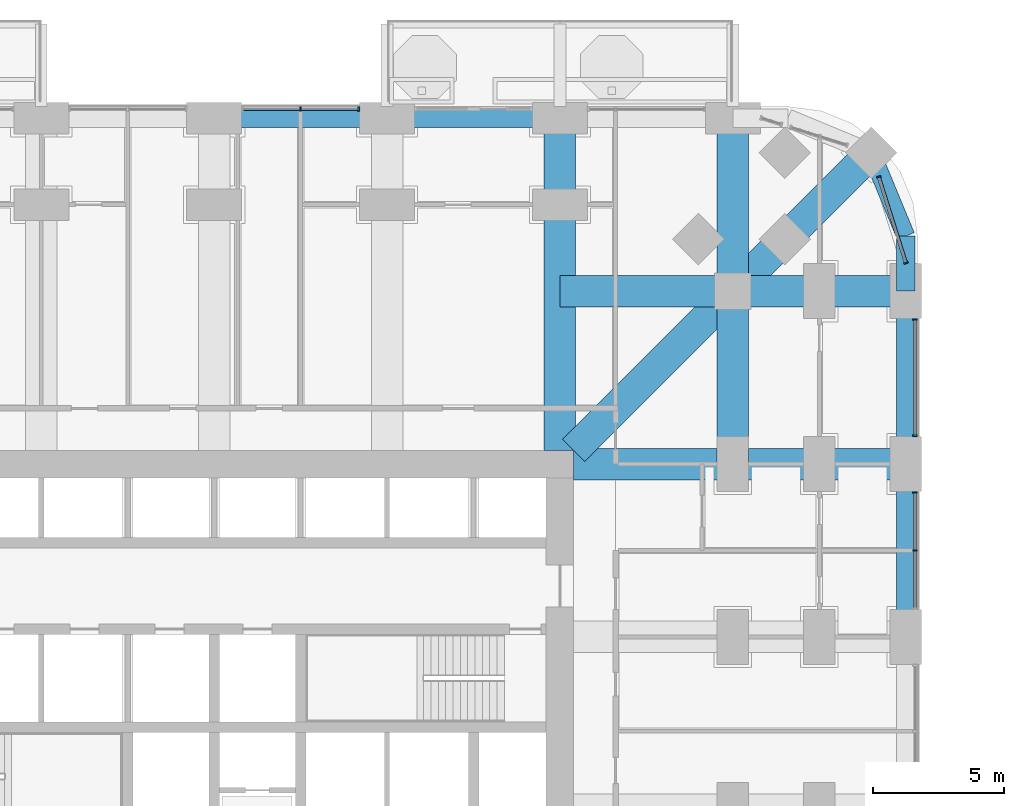
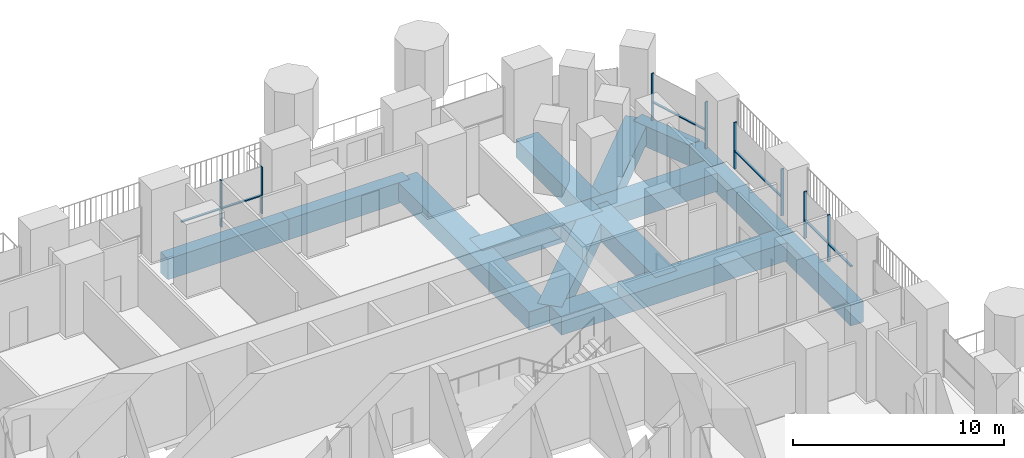
# One storey, part 9 of 27: 14 beams, 14 members, 4 elements without a shape of their own.
"""IFC4 building model written with IfcOpenShell, lengths in metres."""

from ifc_helpers import new_model, si_unit, direction, frame, origin, origin_2d, place, context, subcontext, project, spatial, rectangle, extrude, material, material_profile, profile_set, type_object, element, aggregate, save


model = new_model("IFC4")

# Units and contexts
model_context = context("Model", 3, precision=1e-05, world=origin(), true_north=direction((0.0, 1.0)))
body_context = subcontext(model_context, "Body", "Model", "MODEL_VIEW")
ifc_project = project(units=[si_unit("LENGTHUNIT", "METRE"), si_unit("AREAUNIT", "SQUARE_METRE"), si_unit("VOLUMEUNIT", "CUBIC_METRE"), si_unit("PLANEANGLEUNIT", "RADIAN"), si_unit("MASSUNIT", "GRAM", prefix="KILO")], contexts=[model_context])

# Site, building, storey
site_placement = place(None, origin())
site = spatial("IfcSite", under=ifc_project, at=site_placement, CompositionType="ELEMENT")
building_placement = place(site_placement, origin())
building = spatial("IfcBuilding", under=site, at=building_placement, Name="Cobogo Forest Laboratory Tower", CompositionType="ELEMENT")
storey_placement = place(building_placement, frame((0.0, 0.0, 29.699951171875)))
storey = spatial("IfcBuildingStorey", under=building, at=storey_placement, Name="L06", CompositionType="ELEMENT", Elevation=29.699951171875)

# Beams
ifc_material_1 = material(Name="Concrete HA-40 (C40/50)", Category="concrete")
ifc_material_profile_1 = material_profile(ifc_material_1, rectangle(XDim=1.199951171875, YDim=1.050048828125, at=origin_2d()), Name="RC 1200x1050")
ifc_profile_set_1 = profile_set([ifc_material_profile_1], Name="Concrete HA-40 (C40/50)")
beam_type_1 = type_object("IfcBeamType", Name="Laboratory floor wide beam 1200x1050", PredefinedType="BEAM", material=ifc_profile_set_1)
for number, where, z_axis, x_axis, name in (
    (1, (39.60009765625, 33.52490234375, -0.824951171875), (0.0, 1.0, 0.0), (-1.0, 0.0, 0.0), "RB1 R-7-N L06"),
    (2, (40.125, 33.0, -0.824951171875), (1.0, 0.0, 0.0), (0.0, 1.0, 0.0), "RB1 R-F-E L06"),
):
    element("IfcBeam", number, at=place(storey_placement, frame(where, z_axis=z_axis, x_axis=x_axis)), inside=storey, type_object=beam_type_1, Name=name, PredefinedType="BEAM", context=body_context, shape_type="SweptSolid", body=[
        extrude(rectangle(XDim=1.199951171875, YDim=1.050048828125, at=origin_2d()), origin(), (0.0, 0.0, 1.0), 12.675048828125),
    ])
beam_1_placement = place(storey_placement, frame((46.199951171875, 46.199951171875, -0.824951171875), z_axis=(0.0, -1.0, 0.0), x_axis=(1.0, 0.0, 0.0)))
element("IfcBeam", 3, at=beam_1_placement, inside=storey, type_object=beam_type_1, Name="RB1 G-NE-XF L06", PredefinedType="BEAM", context=body_context, shape_type="SweptSolid", body=[
    extrude(rectangle(XDim=1.199951171875, YDim=1.050048828125, at=origin_2d()), origin(), (0.0, 0.0, 1.0), 6.599853515625),
])
for number, where, z_axis, x_axis, name in (
    (4, (46.199951171875, 39.60009765625, -0.824951171875), (0.0, -1.0, 0.0), (1.0, 0.0, 0.0), "RB1 G-NE-XC L06"),
    (5, (52.800048828125, 39.60009765625, -0.824951171875), (-1.0, 0.0, 0.0), (0.0, -1.0, 0.0), "RB1 G-NE-YF L06"),
):
    element("IfcBeam", number, at=place(storey_placement, frame(where, z_axis=z_axis, x_axis=x_axis)), inside=storey, type_object=beam_type_1, Name=name, PredefinedType="BEAM", context=body_context, shape_type="SweptSolid", body=[
        extrude(rectangle(XDim=1.199951171875, YDim=1.050048828125, at=origin_2d()), origin(), (0.0, 0.0, 1.0), 6.60009765625),
    ])
beam_2_placement = place(storey_placement, frame((46.199951171875, 39.60009765625, -0.824951171875), z_axis=(-1.0, 0.0, 0.0), x_axis=(0.0, -1.0, 0.0)))
element("IfcBeam", 6, at=beam_2_placement, inside=storey, type_object=beam_type_1, Name="RB1 G-NE-YC L06", PredefinedType="BEAM", context=body_context, shape_type="SweptSolid", body=[
    extrude(rectangle(XDim=1.199951171875, YDim=1.050048828125, at=origin_2d()), origin(), (0.0, 0.0, 1.0), 6.599853515625),
])
beam_3_placement = place(storey_placement, frame((51.48193359375, 44.882080078125, -0.824951171875), z_axis=(-0.707106781187, -0.707106781187, 0.0), x_axis=(0.707106781187, -0.707106781187, 0.0)))
element("IfcBeam", 7, at=beam_3_placement, inside=storey, type_object=beam_type_1, Name="RB1 G-NE-D1 L06", PredefinedType="BEAM", context=body_context, shape_type="SweptSolid", body=[
    extrude(rectangle(XDim=1.199951171875, YDim=1.050048828125, at=origin_2d()), origin(), (0.0, 0.0, 1.0), 7.469970703125),
])
beam_4_placement = place(storey_placement, frame((46.199951171875, 39.60009765625, -0.824951171875), z_axis=(-0.707092572697, -0.70712098939, 0.0), x_axis=(0.70712098939, -0.707092572697, 0.0)))
element("IfcBeam", 8, at=beam_4_placement, inside=storey, type_object=beam_type_1, Name="RB1 G-NE-D2 L06", PredefinedType="BEAM", context=body_context, shape_type="SweptSolid", body=[
    extrude(rectangle(XDim=1.199951171875, YDim=1.050048828125, at=origin_2d()), origin(), (0.0, 0.0, 1.0), 8.591552734375),
])

# Curtain wall, members
ifc_material_2 = material(Name="Aluminium curtain wall", Category="aluminium")
curtain_wall_type = type_object("IfcCurtainWallType", Name="CW-1 unitised curtain wall, clear glazing, laboratory floors zones A and B", PredefinedType="USERDEFINED", material=ifc_material_2)
curtain_wall_1_placement = place(storey_placement, origin())
curtain_wall_1 = element("IfcCurtainWall", 9, at=curtain_wall_1_placement, inside=storey, type_object=curtain_wall_type, Name="Curtain wall 13 L06", ObjectType="UNITISED CURTAIN WALL", PredefinedType="USERDEFINED")
ifc_material_3 = material(Name="Aluminium mullion", Category="aluminium")
ifc_material_profile_2 = material_profile(ifc_material_3, rectangle(XDim=0.06005859375, YDim=0.159912109375, at=origin_2d()), Name="AL 60x160")
ifc_profile_set_2 = profile_set([ifc_material_profile_2], Name="Aluminium mullion")
member_type_1 = type_object("IfcMemberType", Name="MU-1 aluminium mullion 60x160", PredefinedType="MULLION", material=ifc_profile_set_2)
member_1_placement = place(storey_placement, frame((53.14990234375, 29.699951171875, 0.0), z_axis=(0.0, 0.0, 1.0), x_axis=(0.0, 1.0, 0.0)))
member_1 = element("IfcMember", 10, at=member_1_placement, type_object=member_type_1, Name="CW-1 mullion 2", PredefinedType="MULLION", context=body_context, shape_type="SweptSolid", body=[
    extrude(rectangle(XDim=0.06005859375, YDim=0.159912109375, at=origin_2d()), origin(), (0.0, 0.0, 1.0), 2.699951171875),
])
member_2_placement = place(storey_placement, frame((53.14990234375, 31.919921875, 0.0), z_axis=(0.0, 0.0, 1.0), x_axis=(0.0, 1.0, 0.0)))
member_2 = element("IfcMember", 11, at=member_2_placement, type_object=member_type_1, Name="CW-1 mullion 3", PredefinedType="MULLION", context=body_context, shape_type="SweptSolid", body=[
    extrude(rectangle(XDim=0.06005859375, YDim=0.159912109375, at=origin_2d()), origin(), (0.0, 0.0, 1.0), 2.699951171875),
])

curtain_wall_2_placement = place(storey_placement, origin())
curtain_wall_2 = element("IfcCurtainWall", 12, at=curtain_wall_2_placement, inside=storey, type_object=curtain_wall_type, Name="Curtain wall 14 L06", ObjectType="UNITISED CURTAIN WALL", PredefinedType="USERDEFINED")
member_3_placement = place(storey_placement, frame((53.14990234375, 34.080078125, 0.0), z_axis=(0.0, 0.0, 1.0), x_axis=(0.0, 1.0, 0.0)))
member_3 = element("IfcMember", 13, at=member_3_placement, type_object=member_type_1, Name="CW-1 mullion 1", PredefinedType="MULLION", context=body_context, shape_type="SweptSolid", body=[
    extrude(rectangle(XDim=0.06005859375, YDim=0.159912109375, at=origin_2d()), origin(), (0.0, 0.0, 1.0), 2.699951171875),
])
member_4_placement = place(storey_placement, frame((53.14990234375, 38.52001953125, 0.0), z_axis=(0.0, 0.0, 1.0), x_axis=(0.0, 1.0, 0.0)))
member_4 = element("IfcMember", 14, at=member_4_placement, type_object=member_type_1, Name="CW-1 mullion 2", PredefinedType="MULLION", context=body_context, shape_type="SweptSolid", body=[
    extrude(rectangle(XDim=0.06005859375, YDim=0.159912109375, at=origin_2d()), origin(), (0.0, 0.0, 1.0), 2.699951171875),
])

curtain_wall_3_placement = place(storey_placement, origin())
curtain_wall_3 = element("IfcCurtainWall", 15, at=curtain_wall_3_placement, inside=storey, type_object=curtain_wall_type, Name="Curtain wall 15 L06", ObjectType="UNITISED CURTAIN WALL", PredefinedType="USERDEFINED")
member_5_placement = place(storey_placement, frame((52.809326171875, 40.6787109375, 0.0), z_axis=(0.0, 0.0, 1.0), x_axis=(-0.30113535792, 0.95358140513, 0.0)))
member_5 = element("IfcMember", 16, at=member_5_placement, type_object=member_type_1, Name="CW-1 mullion 1", PredefinedType="MULLION", context=body_context, shape_type="SweptSolid", body=[
    extrude(rectangle(XDim=0.06005859375, YDim=0.159912109375, at=origin_2d()), origin(), (0.0, 0.0, 1.0), 2.699951171875),
])
member_6_placement = place(storey_placement, frame((51.772705078125, 43.961181640625, 0.0), z_axis=(0.0, 0.0, 1.0), x_axis=(-0.30113535792, 0.95358140513, 0.0)))
member_6 = element("IfcMember", 17, at=member_6_placement, type_object=member_type_1, Name="CW-1 mullion 2", PredefinedType="MULLION", context=body_context, shape_type="SweptSolid", body=[
    extrude(rectangle(XDim=0.06005859375, YDim=0.159912109375, at=origin_2d()), origin(), (0.0, 0.0, 1.0), 2.699951171875),
])

curtain_wall_4_placement = place(storey_placement, origin())
curtain_wall_4 = element("IfcCurtainWall", 18, at=curtain_wall_4_placement, inside=storey, type_object=curtain_wall_type, Name="Curtain wall 20 L06", ObjectType="UNITISED CURTAIN WALL", PredefinedType="USERDEFINED")
member_7_placement = place(storey_placement, frame((31.919921875, 46.550048828125, 0.0), z_axis=(0.0, 0.0, 1.0), x_axis=(-1.0, 0.0, 0.0)))
member_7 = element("IfcMember", 19, at=member_7_placement, type_object=member_type_1, Name="CW-1 mullion 1", PredefinedType="MULLION", context=body_context, shape_type="SweptSolid", body=[
    extrude(rectangle(XDim=0.06005859375, YDim=0.159912109375, at=origin_2d()), origin(), (0.0, 0.0, 1.0), 2.699951171875),
])
member_8_placement = place(storey_placement, frame((29.699951171875, 46.550048828125, 0.0), z_axis=(0.0, 0.0, 1.0), x_axis=(-1.0, 0.0, 0.0)))
member_8 = element("IfcMember", 20, at=member_8_placement, type_object=member_type_1, Name="CW-1 mullion 2", PredefinedType="MULLION", context=body_context, shape_type="SweptSolid", body=[
    extrude(rectangle(XDim=0.06005859375, YDim=0.159912109375, at=origin_2d()), origin(), (0.0, 0.0, 1.0), 2.699951171875),
])

# Beams
ifc_material_profile_3 = material_profile(ifc_material_1, rectangle(XDim=0.699951171875, YDim=1.199951171875, at=origin_2d()), Name="RC 700x1200")
ifc_profile_set_3 = profile_set([ifc_material_profile_3], Name="Concrete HA-40 (C40/50)")
beam_type_2 = type_object("IfcBeamType", Name="Perimeter edge beam 700x1200", PredefinedType="BEAM", material=ifc_profile_set_3)
for number, where, z_axis, x_axis, name in (
    (21, (52.800048828125, 26.39990234375, -0.89990234375), (0.0, 1.0, 0.0), (-1.0, 0.0, 0.0), "EB1 E-E4 L06"),
    (22, (52.800048828125, 33.0, -0.89990234375), (0.0, 1.0, 0.0), (-1.0, 0.0, 0.0), "EB1 E-E5 L06"),
    (23, (26.39990234375, 46.199951171875, -0.89990234375), (1.0, 0.0, 0.0), (0.0, 1.0, 0.0), "EB1 E-N4 L06"),
    (24, (33.0, 46.199951171875, -0.89990234375), (1.0, 0.0, 0.0), (0.0, 1.0, 0.0), "EB1 E-N5 L06"),
):
    element("IfcBeam", number, at=place(storey_placement, frame(where, z_axis=z_axis, x_axis=x_axis)), inside=storey, type_object=beam_type_2, Name=name, PredefinedType="BEAM", context=body_context, shape_type="SweptSolid", body=[
        extrude(rectangle(XDim=0.699951171875, YDim=1.199951171875, at=origin_2d()), origin(), (0.0, 0.0, 1.0), 6.60009765625),
    ])
beam_5_placement = place(storey_placement, frame((52.800048828125, 39.60009765625, -0.89990234375), z_axis=(0.0, 1.0, 0.0), x_axis=(-1.0, 0.0, 0.0)))
element("IfcBeam", 25, at=beam_5_placement, inside=storey, type_object=beam_type_2, Name="EB1 E-NEE1 L06", PredefinedType="BEAM", context=body_context, shape_type="SweptSolid", body=[
    extrude(rectangle(XDim=0.699951171875, YDim=1.199951171875, at=origin_2d()), origin(), (0.0, 0.0, 1.0), 2.099853515625),
])
beam_6_placement = place(storey_placement, frame((52.800048828125, 41.699951171875, -0.89990234375), z_axis=(-0.382691928466, 0.923876013265, 0.0), x_axis=(-0.923876013265, -0.382691928466, 0.0)))
element("IfcBeam", 26, at=beam_6_placement, inside=storey, type_object=beam_type_2, Name="EB1 E-NEE2 L06", PredefinedType="BEAM", context=body_context, shape_type="SweptSolid", body=[
    extrude(rectangle(XDim=0.699951171875, YDim=1.199951171875, at=origin_2d()), origin(), (0.0, 0.0, 1.0), 3.4443359375),
])

# Member
ifc_material_4 = material(Name="Aluminium transom", Category="aluminium")
ifc_material_profile_4 = material_profile(ifc_material_4, rectangle(XDim=0.1201171875, YDim=0.06005859375, at=origin_2d()), Name="AL 60x120")
ifc_profile_set_4 = profile_set([ifc_material_profile_4], Name="Aluminium transom")
member_type_2 = type_object("IfcMemberType", Name="TR-1 aluminium transom 60x120", PredefinedType="USERDEFINED", material=ifc_profile_set_4)
member_9_placement = place(storey_placement, frame((53.14990234375, 27.510009765625, 1.050048828125), z_axis=(0.0, 1.0, 0.0), x_axis=(-1.0, 0.0, 0.0)))
member_9 = element("IfcMember", 27, at=member_9_placement, type_object=member_type_2, Name="CW-1 transom 1.1", ObjectType="TRANSOM", PredefinedType="USERDEFINED", context=body_context, shape_type="SweptSolid", body=[
    extrude(rectangle(XDim=0.1201171875, YDim=0.06005859375, at=origin_2d()), origin(), (0.0, 0.0, 1.0), 2.159912109375),
])

member_10_placement = place(storey_placement, frame((53.14990234375, 29.72998046875, 1.050048828125), z_axis=(0.0, 1.0, 0.0), x_axis=(-1.0, 0.0, 0.0)))
member_10 = element("IfcMember", 28, at=member_10_placement, type_object=member_type_2, Name="CW-1 transom 2.1", ObjectType="TRANSOM", PredefinedType="USERDEFINED", context=body_context, shape_type="SweptSolid", body=[
    extrude(rectangle(XDim=0.1201171875, YDim=0.06005859375, at=origin_2d()), origin(), (0.0, 0.0, 1.0), 2.159912109375),
])

aggregate(curtain_wall_1, [member_1, member_2, member_9, member_10])

member_11_placement = place(storey_placement, frame((53.14990234375, 34.110107421875, 1.050048828125), z_axis=(0.0, 1.0, 0.0), x_axis=(-1.0, 0.0, 0.0)))
member_11 = element("IfcMember", 29, at=member_11_placement, type_object=member_type_2, Name="CW-1 transom 1.1", ObjectType="TRANSOM", PredefinedType="USERDEFINED", context=body_context, shape_type="SweptSolid", body=[
    extrude(rectangle(XDim=0.1201171875, YDim=0.06005859375, at=origin_2d()), origin(), (0.0, 0.0, 1.0), 4.3798828125),
])

aggregate(curtain_wall_2, [member_3, member_4, member_11])

member_12_placement = place(storey_placement, frame((52.80029296875, 40.707275390625, 1.050048828125), z_axis=(-0.301138276922, 0.953580483322, 0.0), x_axis=(-0.953580483322, -0.301138276922, 0.0)))
member_12 = element("IfcMember", 30, at=member_12_placement, type_object=member_type_2, Name="CW-1 transom 1.1", ObjectType="TRANSOM", PredefinedType="USERDEFINED", context=body_context, shape_type="SweptSolid", body=[
    extrude(rectangle(XDim=0.1201171875, YDim=0.06005859375, at=origin_2d()), origin(), (0.0, 0.0, 1.0), 3.38232421875),
])

aggregate(curtain_wall_3, [member_5, member_6, member_12])

member_13_placement = place(storey_placement, frame((31.889892578125, 46.550048828125, 1.050048828125), z_axis=(-1.0, 0.0, 0.0), x_axis=(0.0, -1.0, 0.0)))
member_13 = element("IfcMember", 31, at=member_13_placement, type_object=member_type_2, Name="CW-1 transom 1.1", ObjectType="TRANSOM", PredefinedType="USERDEFINED", context=body_context, shape_type="SweptSolid", body=[
    extrude(rectangle(XDim=0.1201171875, YDim=0.06005859375, at=origin_2d()), origin(), (0.0, 0.0, 1.0), 2.159912109375),
])

member_14_placement = place(storey_placement, frame((29.669921875, 46.550048828125, 1.050048828125), z_axis=(-1.0, 0.0, 0.0), x_axis=(0.0, -1.0, 0.0)))
member_14 = element("IfcMember", 32, at=member_14_placement, type_object=member_type_2, Name="CW-1 transom 2.1", ObjectType="TRANSOM", PredefinedType="USERDEFINED", context=body_context, shape_type="SweptSolid", body=[
    extrude(rectangle(XDim=0.1201171875, YDim=0.06005859375, at=origin_2d()), origin(), (0.0, 0.0, 1.0), 2.159912109375),
])

aggregate(curtain_wall_4, [member_7, member_8, member_13, member_14])

save(model, "model.ifc")
